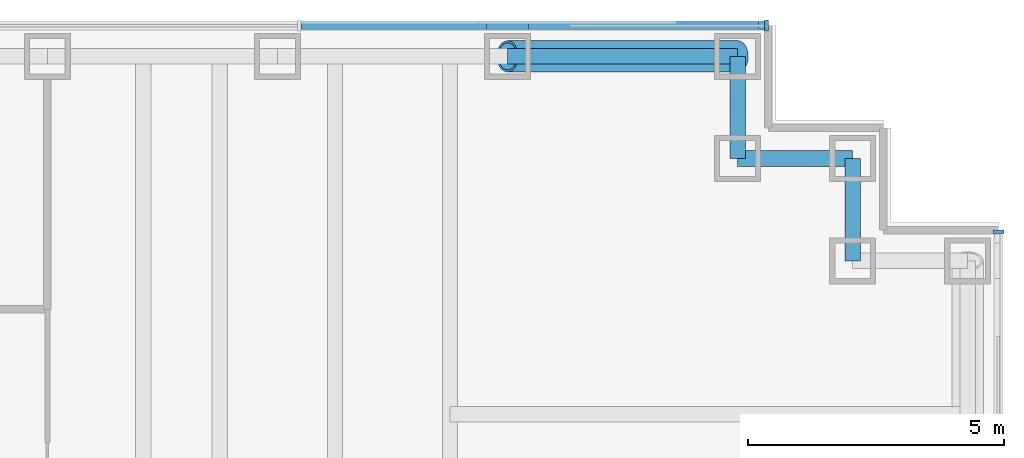
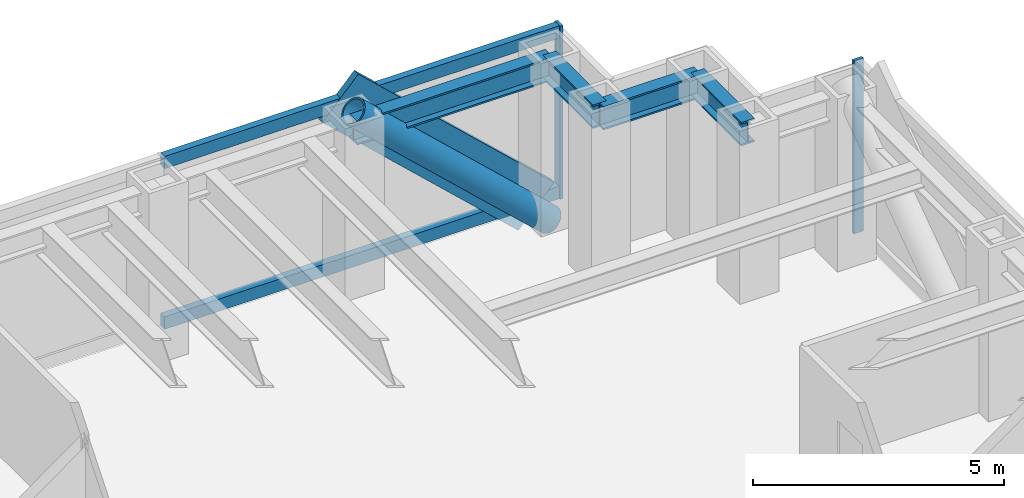
# One storey, part 9 of 15: 6 members, 4 beams, 2 elements without a shape of their own.
"""IFC4 building model written with IfcOpenShell, lengths in metres."""

from ifc_helpers import new_model, si_unit, direction, frame, origin, origin_2d, place, context, subcontext, project, spatial, rectangle, hollow_circle, i_section, extrude, material, material_profile, profile_set, type_object, element, aggregate, save


model = new_model("IFC4")

# Units and contexts
model_context = context("Model", 3, precision=1e-05, world=origin(), true_north=direction((0.0, 1.0)))
body_context = subcontext(model_context, "Body", "Model", "MODEL_VIEW")
ifc_project = project(units=[si_unit("LENGTHUNIT", "METRE"), si_unit("AREAUNIT", "SQUARE_METRE"), si_unit("VOLUMEUNIT", "CUBIC_METRE"), si_unit("PLANEANGLEUNIT", "RADIAN"), si_unit("MASSUNIT", "GRAM", prefix="KILO")], contexts=[model_context])

# Site, building, storey
site_placement = place(None, origin())
site = spatial("IfcSite", under=ifc_project, at=site_placement, CompositionType="ELEMENT")
building_placement = place(site_placement, origin())
building = spatial("IfcBuilding", under=site, at=building_placement, Name="Rheinbord Bourse Tower", CompositionType="ELEMENT")
storey_placement = place(building_placement, frame((0.0, 0.0, 155.10009765625)))
storey = spatial("IfcBuildingStorey", under=building, at=storey_placement, Name="L34", CompositionType="ELEMENT", Elevation=155.10009765625)

# Curtain wall, member
ifc_material_1 = material(Name="Dark glass and black aluminium", Category="aluminium")
curtain_wall_type = type_object("IfcCurtainWallType", Name="CW2 DARK GLASS CURTAIN WALL", PredefinedType="USERDEFINED", material=ifc_material_1)
curtain_wall_1_placement = place(storey_placement, origin())
curtain_wall_1 = element("IfcCurtainWall", 1, at=curtain_wall_1_placement, inside=storey, type_object=curtain_wall_type, Name="Curtain wall CW2 N L34", ObjectType="UNITISED CURTAIN WALL", PredefinedType="USERDEFINED")
ifc_material_2 = material(Name="Black anodised aluminium", Category="aluminium")
ifc_material_profile_1 = material_profile(ifc_material_2, rectangle(XDim=0.159912109375, YDim=1.2099609375, at=origin_2d()), Name="CW2 DIAGONAL MULLION 1210x160")
ifc_profile_set_1 = profile_set([ifc_material_profile_1], Name="Black anodised aluminium")
member_type_1 = type_object("IfcMemberType", Name="CW2 BLACK DIAGONAL MULLION", PredefinedType="USERDEFINED", material=ifc_profile_set_1)
member_1_placement = place(storey_placement, frame((67.5, 46.60009765625, 0.0), z_axis=(-0.73105922506, 0.0, 0.682314010889), x_axis=(0.0, -1.0, 0.0)))
member_1 = element("IfcMember", 2, at=member_1_placement, type_object=member_type_1, Name="CW2 diagonal mullion c", ObjectType="DIAGONAL MULLION", PredefinedType="USERDEFINED", context=body_context, shape_type="SweptSolid", body=[
    extrude(rectangle(XDim=0.159912109375, YDim=1.2099609375, at=origin_2d()), origin(), (0.0, 0.0, 1.0), 6.155517578125),
])

curtain_wall_2_placement = place(storey_placement, origin())
curtain_wall_2 = element("IfcCurtainWall", 3, at=curtain_wall_2_placement, inside=storey, type_object=curtain_wall_type, Name="Curtain wall CW2 E L34", ObjectType="UNITISED CURTAIN WALL", PredefinedType="USERDEFINED")
ifc_material_3 = material(Name="Black anodised aluminium", Category="aluminium")
ifc_material_profile_2 = material_profile(ifc_material_3, rectangle(XDim=0.219970703125, YDim=0.070068359375, at=origin_2d()), Name="CW2 MULLION 70x220")
ifc_profile_set_2 = profile_set([ifc_material_profile_2], Name="Black anodised aluminium")
member_type_2 = type_object("IfcMemberType", Name="CW2 BLACK MULLION", PredefinedType="MULLION", material=ifc_profile_set_2)
member_2_placement = place(storey_placement, frame((72.60009765625, 42.56494140625, 0.0), z_axis=(0.0, 0.0, 1.0), x_axis=(-1.0, 0.0, 0.0)))
member_2 = element("IfcMember", 4, at=member_2_placement, type_object=member_type_2, Name="CW2 mullion 6", PredefinedType="MULLION", context=body_context, shape_type="SweptSolid", body=[
    extrude(rectangle(XDim=0.219970703125, YDim=0.070068359375, at=origin_2d()), origin(), (0.0, 0.0, 1.0), 4.199951171875),
])
aggregate(curtain_wall_2, [member_2])

# Member
member_3_placement = place(storey_placement, frame((68.06494140625, 46.60009765625, 0.0), z_axis=(0.0, 0.0, 1.0), x_axis=(0.0, -1.0, 0.0)))
member_3 = element("IfcMember", 5, at=member_3_placement, type_object=member_type_2, Name="CW2 mullion 1", PredefinedType="MULLION", context=body_context, shape_type="SweptSolid", body=[
    extrude(rectangle(XDim=0.219970703125, YDim=0.070068359375, at=origin_2d()), origin(), (0.0, 0.0, 1.0), 4.199951171875),
])

ifc_material_4 = material(Name="Black anodised aluminium", Category="aluminium")
ifc_material_profile_3 = material_profile(ifc_material_4, rectangle(XDim=0.159912109375, YDim=0.300048828125, at=origin_2d()), Name="CW2 TRANSOM 300x160")
ifc_profile_set_3 = profile_set([ifc_material_profile_3], Name="Black anodised aluminium")
member_type_3 = type_object("IfcMemberType", Name="CW2 BLACK TRANSOM", PredefinedType="USERDEFINED", material=ifc_profile_set_3)
member_4_placement = place(storey_placement, frame((68.030029296875, 46.60009765625, 0.14990234375), z_axis=(-1.0, 0.0, 0.0), x_axis=(0.0, -1.0, 0.0)))
member_4 = element("IfcMember", 6, at=member_4_placement, type_object=member_type_3, Name="CW2 transom 1.1", ObjectType="TRANSOM", PredefinedType="USERDEFINED", context=body_context, shape_type="SweptSolid", body=[
    extrude(rectangle(XDim=0.159912109375, YDim=0.300048828125, at=origin_2d()), origin(), (0.0, 0.0, 1.0), 9.06640625),
])

member_5_placement = place(storey_placement, frame((68.030029296875, 46.60009765625, 4.0498046875), z_axis=(-1.0, 0.0, 0.0), x_axis=(0.0, -1.0, 0.0)))
member_5 = element("IfcMember", 7, at=member_5_placement, type_object=member_type_3, Name="CW2 transom 1.2", ObjectType="TRANSOM", PredefinedType="USERDEFINED", context=body_context, shape_type="SweptSolid", body=[
    extrude(rectangle(XDim=0.159912109375, YDim=0.300048828125, at=origin_2d()), origin(), (0.0, 0.0, 1.0), 9.06640625),
])

aggregate(curtain_wall_1, [member_3, member_4, member_5, member_1])

ifc_material_5 = material(Name="Steel S460", Category="steel")
ifc_material_profile_4 = material_profile(ifc_material_5, hollow_circle(Radius=0.304931640625, WallThickness=0.0400390625, at=origin_2d()), Name="CHS 610x40")
ifc_profile_set_4 = profile_set([ifc_material_profile_4], Name="Steel S460")
member_type_4 = type_object("IfcMemberType", Name="MEGABRACE CHS 610x40", PredefinedType="BRACE", material=ifc_profile_set_4)
member_6_placement = place(storey_placement, frame((67.5, 46.0, 0.0), z_axis=(-0.73105922506, 0.0, 0.682314010889), x_axis=(0.0, -1.0, 0.0)))
element("IfcMember", 8, at=member_6_placement, inside=storey, type_object=member_type_4, Name="Megabrace N face line c L34", PredefinedType="BRACE", context=body_context, shape_type="SweptSolid", body=[
    extrude(hollow_circle(Radius=0.304931640625, WallThickness=0.0400390625, at=origin_2d()), origin(), (0.0, 0.0, 1.0), 6.155517578125),
])

# Beams
ifc_material_6 = material(Name="Steel S460", Category="steel")
ifc_material_profile_5 = material_profile(ifc_material_6, i_section(OverallWidth=0.305908203125, OverallDepth=0.572021484375, WebThickness=0.02099609375, FlangeThickness=0.0400390625, at=origin_2d()), Name="HEM 550")
ifc_profile_set_5 = profile_set([ifc_material_profile_5], Name="Steel S460")
beam_type = type_object("IfcBeamType", Name="SPANDREL HEM 550", PredefinedType="SPANDREL", material=ifc_profile_set_5)
beam_1_placement = place(storey_placement, frame((69.75, 42.0, 3.75390625), z_axis=(0.0, 1.0, 0.0), x_axis=(-1.0, 0.0, 0.0)))
element("IfcBeam", 9, at=beam_1_placement, inside=storey, type_object=beam_type, Name="Spandrel NE-B-NE-C under L35", PredefinedType="SPANDREL", context=body_context, shape_type="SweptSolid", body=[
    extrude(i_section(OverallWidth=0.305908203125, OverallDepth=0.572021484375, WebThickness=0.02099609375, FlangeThickness=0.0400390625, at=origin_2d()), origin(), (0.0, 0.0, 1.0), 2.0),
])
beam_2_placement = place(storey_placement, frame((69.75, 44.0, 3.75390625), z_axis=(-1.0, 0.0, 0.0), x_axis=(0.0, -1.0, 0.0)))
element("IfcBeam", 10, at=beam_2_placement, inside=storey, type_object=beam_type, Name="Spandrel NE-C-NE-D under L35", PredefinedType="SPANDREL", context=body_context, shape_type="SweptSolid", body=[
    extrude(i_section(OverallWidth=0.305908203125, OverallDepth=0.572021484375, WebThickness=0.02099609375, FlangeThickness=0.0400390625, at=origin_2d()), origin(), (0.0, 0.0, 1.0), 2.25),
])
beam_3_placement = place(storey_placement, frame((67.5, 44.0, 3.75390625), z_axis=(0.0, 1.0, 0.0), x_axis=(-1.0, 0.0, 0.0)))
element("IfcBeam", 11, at=beam_3_placement, inside=storey, type_object=beam_type, Name="Spandrel NE-D-NE-E under L35", PredefinedType="SPANDREL", context=body_context, shape_type="SweptSolid", body=[
    extrude(i_section(OverallWidth=0.305908203125, OverallDepth=0.572021484375, WebThickness=0.02099609375, FlangeThickness=0.0400390625, at=origin_2d()), origin(), (0.0, 0.0, 1.0), 2.0),
])
beam_4_placement = place(storey_placement, frame((67.5, 46.0, 3.75390625), z_axis=(-1.0, 0.0, 0.0), x_axis=(0.0, -1.0, 0.0)))
element("IfcBeam", 12, at=beam_4_placement, inside=storey, type_object=beam_type, Name="Spandrel NE-E-N-63 under L35", PredefinedType="SPANDREL", context=body_context, shape_type="SweptSolid", body=[
    extrude(i_section(OverallWidth=0.305908203125, OverallDepth=0.572021484375, WebThickness=0.02099609375, FlangeThickness=0.0400390625, at=origin_2d()), origin(), (0.0, 0.0, 1.0), 4.5),
])

save(model, "model.ifc")
